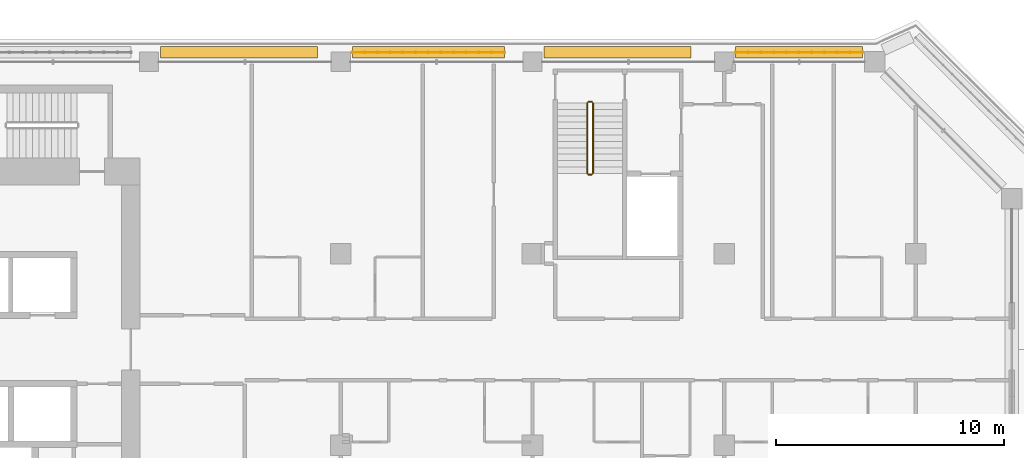
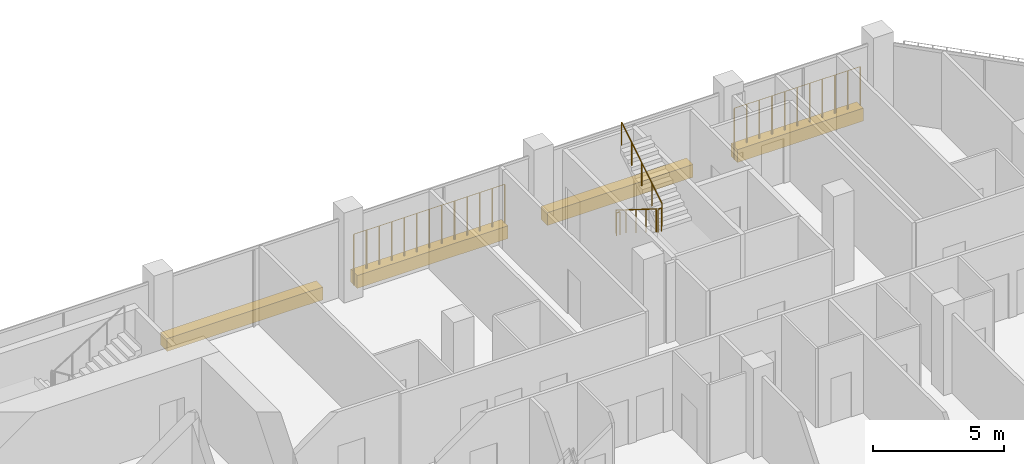
# One storey, part 22 of 23: 6 railings, 4 coverings.
"""IFC4 building model written with IfcOpenShell, lengths in metres."""

from ifc_helpers import new_model, si_unit, direction, frame, origin, origin_2d, place, context, subcontext, project, spatial, rectangle, circle, extrude, material, material_profile, profile_set, type_object, element, save


model = new_model("IFC4")

# Units and contexts
model_context = context("Model", 3, precision=1e-05, world=origin(), true_north=direction((0.0, 1.0)))
body_context = subcontext(model_context, "Body", "Model", "MODEL_VIEW")
ifc_project = project(units=[si_unit("LENGTHUNIT", "METRE"), si_unit("AREAUNIT", "SQUARE_METRE"), si_unit("VOLUMEUNIT", "CUBIC_METRE"), si_unit("PLANEANGLEUNIT", "RADIAN"), si_unit("MASSUNIT", "GRAM", prefix="KILO")], contexts=[model_context])

# Site, building, storey
site_placement = place(None, origin())
site = spatial("IfcSite", under=ifc_project, at=site_placement, CompositionType="ELEMENT")
building_placement = place(site_placement, origin())
building = spatial("IfcBuilding", under=site, at=building_placement, Name="Kawkab Arch Medical Tower", CompositionType="ELEMENT")
storey_placement = place(building_placement, frame((0.0, 0.0, 268.39990234375)))
storey = spatial("IfcBuildingStorey", under=building, at=storey_placement, Name="L62", CompositionType="ELEMENT", Elevation=268.39990234375)

# Coverings
ifc_material_1 = material(Name="Planting soil in a precast trough", Category="concrete")
ifc_material_profile = material_profile(ifc_material_1, rectangle(XDim=0.5, YDim=0.60009765625, at=origin_2d()), Name="Trough 500x600")
ifc_profile_set = profile_set([ifc_material_profile], Name="Planting soil in a precast trough")
covering_type = type_object("IfcCoveringType", Name="Planter trough 500 x 600", PredefinedType="USERDEFINED", material=ifc_profile_set)
covering_1_placement = place(storey_placement, frame((25.705078125, 0.419921875, 0.300048828125), z_axis=(1.0, 0.0, 0.0), x_axis=(0.0, 1.0, 0.0)))
element("IfcCovering", 1, at=covering_1_placement, inside=storey, type_object=covering_type, Name="Planter L62.LOG-01-01.20", ObjectType="PLANTER", PredefinedType="USERDEFINED", context=body_context, shape_type="SweptSolid", body=[
    extrude(rectangle(XDim=0.5, YDim=0.60009765625, at=origin_2d()), origin(), (0.0, 0.0, 1.0), 6.884033203125),
])
covering_2_placement = place(storey_placement, frame((34.10498046875, 0.419921875, 0.300048828125), z_axis=(1.0, 0.0, 0.0), x_axis=(0.0, 1.0, 0.0)))
element("IfcCovering", 2, at=covering_2_placement, inside=storey, type_object=covering_type, Name="Planter L62.LOG-01-01.21", ObjectType="PLANTER", PredefinedType="USERDEFINED", context=body_context, shape_type="SweptSolid", body=[
    extrude(rectangle(XDim=0.5, YDim=0.60009765625, at=origin_2d()), origin(), (0.0, 0.0, 1.0), 6.6630859375),
])
covering_3_placement = place(storey_placement, frame((42.5048828125, 0.419921875, 0.300048828125), z_axis=(1.0, 0.0, 0.0), x_axis=(0.0, 1.0, 0.0)))
element("IfcCovering", 3, at=covering_3_placement, inside=storey, type_object=covering_type, Name="Planter L62.LOG-01-01.22", ObjectType="PLANTER", PredefinedType="USERDEFINED", context=body_context, shape_type="SweptSolid", body=[
    extrude(rectangle(XDim=0.5, YDim=0.60009765625, at=origin_2d()), origin(), (0.0, 0.0, 1.0), 6.442138671875),
])
covering_4_placement = place(storey_placement, frame((50.905029296875, 0.419921875, 0.300048828125), z_axis=(1.0, 0.0, 0.0), x_axis=(0.0, 1.0, 0.0)))
element("IfcCovering", 4, at=covering_4_placement, inside=storey, type_object=covering_type, Name="Planter L62.LOG-01-01.23", ObjectType="PLANTER", PredefinedType="USERDEFINED", context=body_context, shape_type="SweptSolid", body=[
    extrude(rectangle(XDim=0.5, YDim=0.60009765625, at=origin_2d()), origin(), (0.0, 0.0, 1.0), 5.56494140625),
])

# Railings
ifc_material_2 = material(Name="Bronze anodised aluminium trellis for climbing plants", Category="aluminium")
railing_type_1 = type_object("IfcRailingType", Name="Planting trellis 2400", PredefinedType="USERDEFINED", material=ifc_material_2)
railing_1_placement = place(storey_placement, frame((34.10498046875, 0.419921875, 0.0)))
element("IfcRailing", 5, at=railing_1_placement, inside=storey, type_object=railing_type_1, Name="Planting trellis L62.LOG-01-01.21", ObjectType="TRELLIS", PredefinedType="USERDEFINED", context=body_context, shape_type="SweptSolid", body=[
    extrude(circle(Radius=0.01513671875, at=origin_2d()), frame((0.0, 0.0, 2.384765625), z_axis=(1.0, 0.0, 0.0), x_axis=(0.0, 1.0, 0.0)), (0.0, 0.0, 1.0), 6.6630859375),
    extrude(circle(Radius=0.030029296875, at=origin_2d()), origin(), (0.0, 0.0, 1.0), 2.369873046875),
    extrude(circle(Radius=0.030029296875, at=origin_2d()), frame((0.55517578125, 0.0, 0.0)), (0.0, 0.0, 1.0), 2.369873046875),
    extrude(circle(Radius=0.030029296875, at=origin_2d()), frame((1.110595703125, 0.0, 0.0)), (0.0, 0.0, 1.0), 2.369873046875),
    extrude(circle(Radius=0.030029296875, at=origin_2d()), frame((1.665771484375, 0.0, 0.0)), (0.0, 0.0, 1.0), 2.369873046875),
    extrude(circle(Radius=0.030029296875, at=origin_2d()), frame((2.220947265625, 0.0, 0.0)), (0.0, 0.0, 1.0), 2.369873046875),
    extrude(circle(Radius=0.030029296875, at=origin_2d()), frame((2.7763671875, 0.0, 0.0)), (0.0, 0.0, 1.0), 2.369873046875),
    extrude(circle(Radius=0.030029296875, at=origin_2d()), frame((3.33154296875, 0.0, 0.0)), (0.0, 0.0, 1.0), 2.369873046875),
    extrude(circle(Radius=0.030029296875, at=origin_2d()), frame((3.88671875, 0.0, 0.0)), (0.0, 0.0, 1.0), 2.369873046875),
    extrude(circle(Radius=0.030029296875, at=origin_2d()), frame((4.442138671875, 0.0, 0.0)), (0.0, 0.0, 1.0), 2.369873046875),
    extrude(circle(Radius=0.030029296875, at=origin_2d()), frame((4.997314453125, 0.0, 0.0)), (0.0, 0.0, 1.0), 2.369873046875),
    extrude(circle(Radius=0.030029296875, at=origin_2d()), frame((5.552490234375, 0.0, 0.0)), (0.0, 0.0, 1.0), 2.369873046875),
    extrude(circle(Radius=0.030029296875, at=origin_2d()), frame((6.10791015625, 0.0, 0.0)), (0.0, 0.0, 1.0), 2.369873046875),
    extrude(circle(Radius=0.030029296875, at=origin_2d()), frame((6.6630859375, 0.0, 0.0)), (0.0, 0.0, 1.0), 2.369873046875),
])
railing_2_placement = place(storey_placement, frame((50.905029296875, 0.419921875, 0.0)))
element("IfcRailing", 6, at=railing_2_placement, inside=storey, type_object=railing_type_1, Name="Planting trellis L62.LOG-01-01.23", ObjectType="TRELLIS", PredefinedType="USERDEFINED", context=body_context, shape_type="SweptSolid", body=[
    extrude(circle(Radius=0.01513671875, at=origin_2d()), frame((0.0, 0.0, 2.384765625), z_axis=(1.0, 0.0, 0.0), x_axis=(0.0, 1.0, 0.0)), (0.0, 0.0, 1.0), 5.56494140625),
    extrude(circle(Radius=0.030029296875, at=origin_2d()), origin(), (0.0, 0.0, 1.0), 2.369873046875),
    extrude(circle(Radius=0.030029296875, at=origin_2d()), frame((0.556396484375, 0.0, 0.0)), (0.0, 0.0, 1.0), 2.369873046875),
    extrude(circle(Radius=0.030029296875, at=origin_2d()), frame((1.113037109375, 0.0, 0.0)), (0.0, 0.0, 1.0), 2.369873046875),
    extrude(circle(Radius=0.030029296875, at=origin_2d()), frame((1.66943359375, 0.0, 0.0)), (0.0, 0.0, 1.0), 2.369873046875),
    extrude(circle(Radius=0.030029296875, at=origin_2d()), frame((2.22607421875, 0.0, 0.0)), (0.0, 0.0, 1.0), 2.369873046875),
    extrude(circle(Radius=0.030029296875, at=origin_2d()), frame((2.782470703125, 0.0, 0.0)), (0.0, 0.0, 1.0), 2.369873046875),
    extrude(circle(Radius=0.030029296875, at=origin_2d()), frame((3.3388671875, 0.0, 0.0)), (0.0, 0.0, 1.0), 2.369873046875),
    extrude(circle(Radius=0.030029296875, at=origin_2d()), frame((3.8955078125, 0.0, 0.0)), (0.0, 0.0, 1.0), 2.369873046875),
    extrude(circle(Radius=0.030029296875, at=origin_2d()), frame((4.451904296875, 0.0, 0.0)), (0.0, 0.0, 1.0), 2.369873046875),
    extrude(circle(Radius=0.030029296875, at=origin_2d()), frame((5.008544921875, 0.0, 0.0)), (0.0, 0.0, 1.0), 2.369873046875),
    extrude(circle(Radius=0.030029296875, at=origin_2d()), frame((5.56494140625, 0.0, 0.0)), (0.0, 0.0, 1.0), 2.369873046875),
])
ifc_material_3 = material(Name="Stainless steel", Category="steel")
railing_type_2 = type_object("IfcRailingType", Name="Stair guard 1100", PredefinedType="GUARDRAIL", material=ifc_material_3)
railing_3_placement = place(storey_placement, frame((44.39990234375, -1.800048828125, 0.175048828125)))
element("IfcRailing", 7, at=railing_3_placement, inside=storey, type_object=railing_type_2, Name="L62 ST5 stair guard 1", PredefinedType="GUARDRAIL", context=body_context, shape_type="SweptSolid", body=[
    extrude(circle(Radius=0.02392578125, at=origin_2d()), frame((0.0, 0.0, 1.076171875), z_axis=(0.0, -0.847979421464, 0.530029150871), x_axis=(1.0, 0.0, 0.0)), (0.0, 0.0, 1.0), 3.632080078125),
    extrude(circle(Radius=0.02099609375, at=origin_2d()), origin(), (0.0, 0.0, 1.0), 1.052001953125),
    extrude(circle(Radius=0.02099609375, at=origin_2d()), frame((0.0, -0.77001953125, 0.481201171875)), (0.0, 0.0, 1.0), 1.052001953125),
    extrude(circle(Radius=0.02099609375, at=origin_2d()), frame((0.0, -1.5400390625, 0.96240234375)), (0.0, 0.0, 1.0), 1.052001953125),
    extrude(circle(Radius=0.02099609375, at=origin_2d()), frame((0.0, -2.309814453125, 1.44384765625)), (0.0, 0.0, 1.0), 1.052001953125),
    extrude(circle(Radius=0.02099609375, at=origin_2d()), frame((0.0, -3.079833984375, 1.925048828125)), (0.0, 0.0, 1.0), 1.052001953125),
])
railing_4_placement = place(storey_placement, frame((44.449951171875, -4.929931640625, 2.10009765625)))
element("IfcRailing", 8, at=railing_4_placement, inside=storey, type_object=railing_type_2, Name="L62 ST5 stair guard 2", PredefinedType="GUARDRAIL", context=body_context, shape_type="SweptSolid", body=[
    extrude(circle(Radius=0.02392578125, at=origin_2d()), frame((0.0, 0.0, 1.076171875), z_axis=(1.0, 0.0, 0.0), x_axis=(0.0, 1.0, 0.0)), (0.0, 0.0, 1.0), 0.150146484375),
    extrude(circle(Radius=0.02099609375, at=origin_2d()), origin(), (0.0, 0.0, 1.0), 1.052001953125),
    extrude(circle(Radius=0.02099609375, at=origin_2d()), frame((0.150146484375, 0.0, 0.0)), (0.0, 0.0, 1.0), 1.052001953125),
])
railing_5_placement = place(storey_placement, frame((44.64990234375, -4.8798828125, 2.275146484375)))
element("IfcRailing", 9, at=railing_5_placement, inside=storey, type_object=railing_type_2, Name="L62 ST5 stair guard 3", PredefinedType="GUARDRAIL", context=body_context, shape_type="SweptSolid", body=[
    extrude(circle(Radius=0.02392578125, at=origin_2d()), frame((0.0, 0.0, 1.076171875), z_axis=(0.0, 0.847979421464, 0.530029150871), x_axis=(-1.0, 0.0, 0.0)), (0.0, 0.0, 1.0), 3.632080078125),
    extrude(circle(Radius=0.02099609375, at=origin_2d()), origin(), (0.0, 0.0, 1.0), 1.052001953125),
    extrude(circle(Radius=0.02099609375, at=origin_2d()), frame((0.0, 0.77001953125, 0.481201171875)), (0.0, 0.0, 1.0), 1.052001953125),
    extrude(circle(Radius=0.02099609375, at=origin_2d()), frame((0.0, 1.5400390625, 0.96240234375)), (0.0, 0.0, 1.0), 1.052001953125),
    extrude(circle(Radius=0.02099609375, at=origin_2d()), frame((0.0, 2.309814453125, 1.44384765625)), (0.0, 0.0, 1.0), 1.052001953125),
    extrude(circle(Radius=0.02099609375, at=origin_2d()), frame((0.0, 3.079833984375, 1.925048828125)), (0.0, 0.0, 1.0), 1.052001953125),
])
railing_6_placement = place(storey_placement, frame((44.449951171875, -1.75, 0.0)))
element("IfcRailing", 10, at=railing_6_placement, inside=storey, type_object=railing_type_2, Name="L62 ST5 stair guard 4", PredefinedType="GUARDRAIL", context=body_context, shape_type="SweptSolid", body=[
    extrude(circle(Radius=0.02392578125, at=origin_2d()), frame((0.0, 0.0, 1.076171875), z_axis=(1.0, 0.0, 0.0), x_axis=(0.0, 1.0, 0.0)), (0.0, 0.0, 1.0), 0.150146484375),
    extrude(circle(Radius=0.02099609375, at=origin_2d()), origin(), (0.0, 0.0, 1.0), 1.052001953125),
    extrude(circle(Radius=0.02099609375, at=origin_2d()), frame((0.150146484375, 0.0, 0.0)), (0.0, 0.0, 1.0), 1.052001953125),
])

save(model, "model.ifc")
